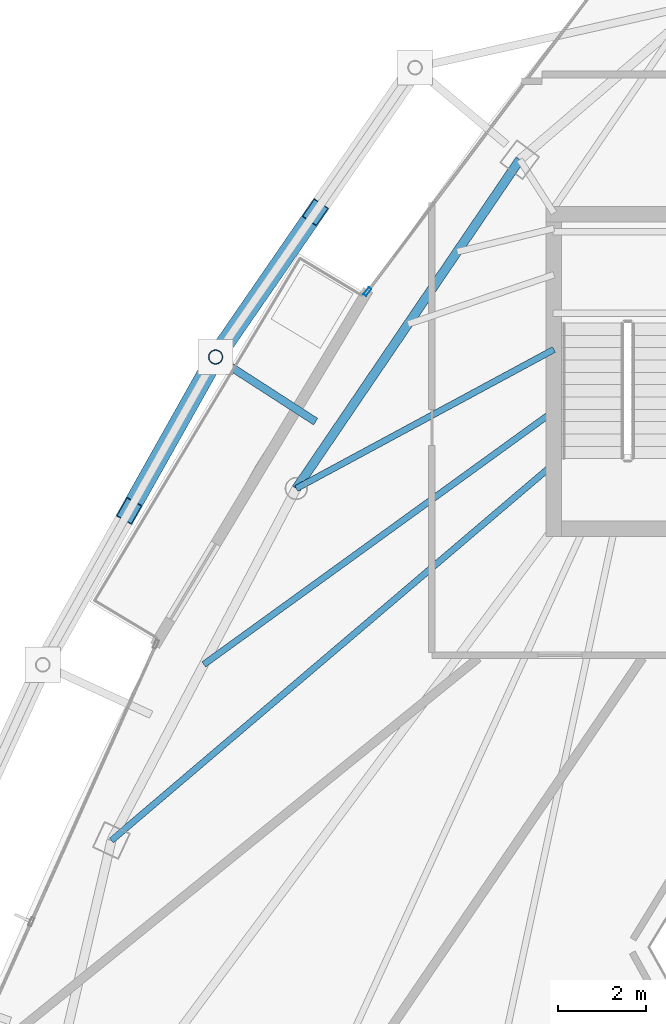
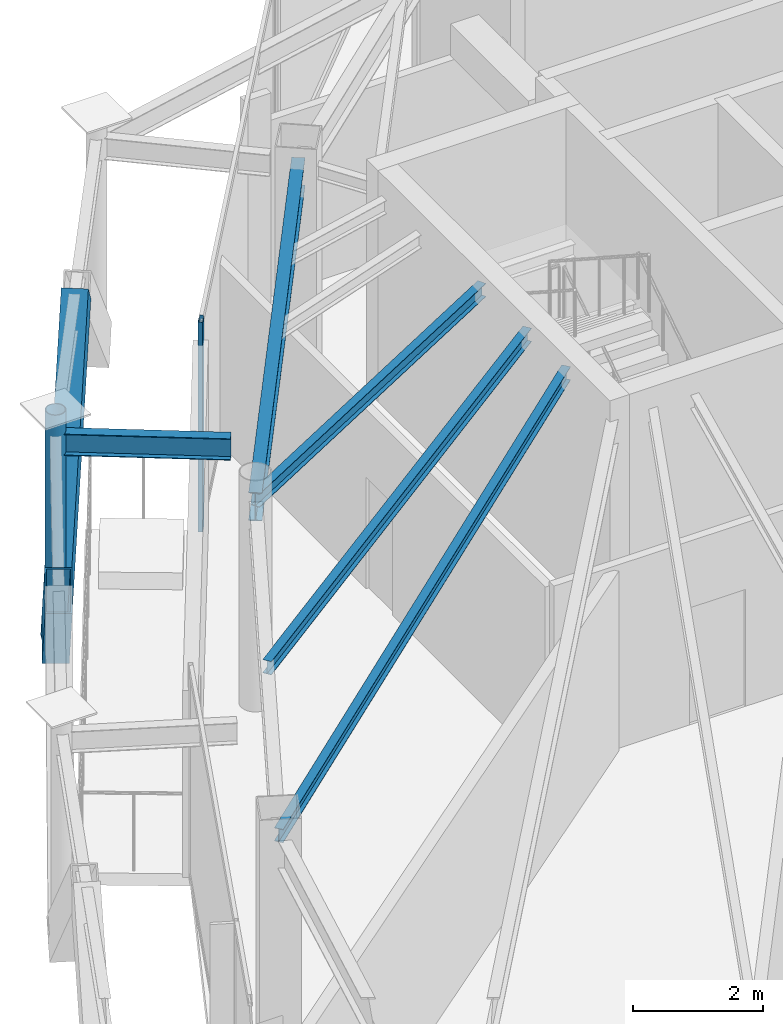
# One storey, part 9 of 22: 5 beams, 4 members, 1 element without a shape of its own.
"""IFC4 building model written with IfcOpenShell, lengths in metres."""

from ifc_helpers import new_model, si_unit, direction, frame, origin, origin_2d, place, context, subcontext, project, spatial, hollow_rectangle, hollow_circle, i_section, extrude, material, layer, layer_set, material_profile, profile_set, type_object, element, aggregate, save


model = new_model("IFC4")

# Units and contexts
model_context = context("Model", 3, precision=1e-05, world=origin(), true_north=direction((0.0, 1.0)))
body_context = subcontext(model_context, "Body", "Model", "MODEL_VIEW")
ifc_project = project(units=[si_unit("LENGTHUNIT", "METRE"), si_unit("AREAUNIT", "SQUARE_METRE"), si_unit("VOLUMEUNIT", "CUBIC_METRE"), si_unit("PLANEANGLEUNIT", "RADIAN"), si_unit("MASSUNIT", "GRAM", prefix="KILO")], contexts=[model_context])

# Site, building, storey
site_placement = place(None, origin())
site = spatial("IfcSite", under=ifc_project, at=site_placement, CompositionType="ELEMENT")
building_placement = place(site_placement, origin())
building = spatial("IfcBuilding", under=site, at=building_placement, Name="Orvanel Arch Residences", CompositionType="ELEMENT")
storey_placement = place(building_placement, frame((0.0, 0.0, 276.64990234375)))
storey = spatial("IfcBuildingStorey", under=building, at=storey_placement, Name="L79", CompositionType="ELEMENT", Elevation=276.64990234375)

# Beams
ifc_material_1 = material(Name="Structural steel AS/NZS 3679.1 Grade 300 (300 MPa)", Category="steel")
ifc_material_profile_1 = material_profile(ifc_material_1, i_section(OverallWidth=0.14599609375, OverallDepth=0.251953125, WebThickness=0.006103515625, FlangeThickness=0.008544921875, at=origin_2d()), Name="250UB31.4")
ifc_profile_set_1 = profile_set([ifc_material_profile_1], Name="Structural steel AS/NZS 3679.1 Grade 300 (300 MPa)")
beam_type_1 = type_object("IfcBeamType", Name="BJ-250UB", PredefinedType="JOIST", material=ifc_profile_set_1)
beam_1_placement = place(storey_placement, frame((26.425048828125, 30.800048828125, 3.82421875), z_axis=(-0.880111494021, -0.474767056664, 0.0), x_axis=(0.474767056664, -0.880111494021, 0.0)))
element("IfcBeam", 1, at=beam_1_placement, inside=storey, type_object=beam_type_1, Name="L79 NW Wing Floor Joist", PredefinedType="JOIST", context=body_context, shape_type="SweptSolid", body=[
    extrude(i_section(OverallWidth=0.14599609375, OverallDepth=0.251953125, WebThickness=0.006103515625, FlangeThickness=0.008544921875, at=origin_2d()), origin(), (0.0, 0.0, 1.0), 6.653564453125),
])
beam_2_placement = place(storey_placement, frame((26.425048828125, 28.199951171875, 3.82421875), z_axis=(-0.761622669031, -0.64802076357, 0.0), x_axis=(0.64802076357, -0.761622669031, 0.0)))
element("IfcBeam", 2, at=beam_2_placement, inside=storey, type_object=beam_type_1, Name="L79 W Wing Floor Joist", PredefinedType="JOIST", context=body_context, shape_type="SweptSolid", body=[
    extrude(i_section(OverallWidth=0.14599609375, OverallDepth=0.251953125, WebThickness=0.006103515625, FlangeThickness=0.008544921875, at=origin_2d()), origin(), (0.0, 0.0, 1.0), 13.2060546875),
])
beam_3_placement = place(storey_placement, frame((26.425048828125, 29.39990234375, 3.82421875), z_axis=(-0.810144032972, -0.586230881002, 0.0), x_axis=(0.586230881002, -0.810144032972, 0.0)))
element("IfcBeam", 3, at=beam_3_placement, inside=storey, type_object=beam_type_1, Name="L79 CTW Wing Floor Joist", PredefinedType="JOIST", context=body_context, shape_type="SweptSolid", body=[
    extrude(i_section(OverallWidth=0.14599609375, OverallDepth=0.251953125, WebThickness=0.006103515625, FlangeThickness=0.008544921875, at=origin_2d()), origin(), (0.0, 0.0, 1.0), 9.82177734375),
])

# Members
ifc_material_2 = material(Name="Structural steel AS/NZS 3678 Grade 350", Category="steel")
ifc_material_profile_2 = material_profile(ifc_material_2, hollow_rectangle(XDim=0.419921875, YDim=0.719970703125, WallThickness=0.02490234375, at=origin_2d()), Name="RHS720x420x25")
ifc_profile_set_2 = profile_set([ifc_material_profile_2], Name="Structural steel AS/NZS 3678 Grade 350")
member_type_1 = type_object("IfcMemberType", Name="BR-720RHS-EXT", PredefinedType="BRACE", material=ifc_profile_set_2)
member_1_placement = place(storey_placement, frame((18.735107421875, 30.62890625, 0.0), z_axis=(0.413887806925, 0.600527359708, 0.68415186437), x_axis=(-0.823385120164, 0.567482989959, 0.0)))
element("IfcMember", 4, at=member_1_placement, inside=storey, type_object=member_type_1, Name="L79 Exterior Sky-Garden V-Frame Chevron F1B1.2", PredefinedType="BRACE", context=body_context, shape_type="SweptSolid", body=[
    extrude(hollow_rectangle(XDim=0.419921875, YDim=0.719970703125, WallThickness=0.02490234375, at=origin_2d()), origin(), (0.0, 0.0, 1.0), 5.47705078125),
])
member_2_placement = place(storey_placement, frame((18.735107421875, 30.62890625, 0.0), z_axis=(-0.357844967537, -0.63709303543, 0.682685464482), x_axis=(0.871879371693, -0.489720697149, 0.0)))
element("IfcMember", 5, at=member_2_placement, inside=storey, type_object=member_type_1, Name="L79 Exterior Sky-Garden V-Frame Chevron F1B2.1", PredefinedType="BRACE", context=body_context, shape_type="SweptSolid", body=[
    extrude(hollow_rectangle(XDim=0.419921875, YDim=0.719970703125, WallThickness=0.02490234375, at=origin_2d()), origin(), (0.0, 0.0, 1.0), 5.48876953125),
])

# Curtain wall, member
ifc_material_3 = material(Name="Bronze-anodised aluminium AA6063-T6", Category="aluminium")
ifc_layer = layer(ifc_material_3, 0.195068359375)
ifc_layer_set = layer_set([ifc_layer], Name="Bronze-anodised aluminium AA6063-T6")
curtain_wall_type = type_object("IfcCurtainWallType", Name="CW6-COM-SYS", PredefinedType="NOTDEFINED", material=ifc_layer_set)
curtain_wall_placement = place(storey_placement, origin())
curtain_wall = element("IfcCurtainWall", 6, at=curtain_wall_placement, inside=storey, type_object=curtain_wall_type, Name="L79 CW6-COM-SYS Unitised Curtain Wall", PredefinedType="NOTDEFINED")
ifc_material_profile_3 = material_profile(ifc_material_3, hollow_rectangle(XDim=0.074951171875, YDim=0.199951171875, WallThickness=0.0048828125, at=origin_2d()), Name="ALU200x75x5")
ifc_profile_set_3 = profile_set([ifc_material_profile_3], Name="Bronze-anodised aluminium AA6063-T6")
member_type_2 = type_object("IfcMemberType", Name="MUL-200x75", PredefinedType="MULLION", material=ifc_profile_set_3)
member_3_placement = place(storey_placement, frame((22.1845703125, 32.114013671875, 0.0), z_axis=(0.0, 0.0, 1.0), x_axis=(0.799480276109, -0.600692340648, 0.0)))
member_3 = element("IfcMember", 7, at=member_3_placement, type_object=member_type_2, Name="CW-S6 mullion 2", PredefinedType="MULLION", context=body_context, shape_type="SweptSolid", body=[
    extrude(hollow_rectangle(XDim=0.074951171875, YDim=0.199951171875, WallThickness=0.0048828125, at=origin_2d()), origin(), (0.0, 0.0, 1.0), 3.9501953125),
])
aggregate(curtain_wall, [member_3])

# Beams
ifc_material_profile_4 = material_profile(ifc_material_1, i_section(OverallWidth=0.177978515625, OverallDepth=0.406005859375, WebThickness=0.0078125, FlangeThickness=0.0126953125, at=origin_2d()), Name="410UB59.7")
ifc_profile_set_4 = profile_set([ifc_material_profile_4], Name="Structural steel AS/NZS 3679.1 Grade 300 (300 MPa)")
beam_type_2 = type_object("IfcBeamType", Name="OB-410UB-EXT", PredefinedType="SPANDREL", material=ifc_profile_set_4)
beam_4_placement = place(storey_placement, frame((21.009033203125, 29.159912109375, 3.7470703125), z_axis=(-0.839969157421, 0.54263414432, 0.0), x_axis=(-0.54263414432, -0.839969157421, 0.0)))
element("IfcBeam", 8, at=beam_4_placement, inside=storey, type_object=beam_type_2, Name="L79 Outer Frame Radial Tie Beam 02", PredefinedType="SPANDREL", context=body_context, shape_type="SweptSolid", body=[
    extrude(i_section(OverallWidth=0.177978515625, OverallDepth=0.406005859375, WebThickness=0.0078125, FlangeThickness=0.0126953125, at=origin_2d()), origin(), (0.0, 0.0, 1.0), 2.707275390625),
])
ifc_material_profile_5 = material_profile(ifc_material_1, i_section(OverallWidth=0.208984375, OverallDepth=0.532958984375, WebThickness=0.01025390625, FlangeThickness=0.015625, at=origin_2d()), Name="530UB92.4")
ifc_profile_set_5 = profile_set([ifc_material_profile_5], Name="Structural steel AS/NZS 3679.1 Grade 300 (300 MPa)")
beam_type_3 = type_object("IfcBeamType", Name="SP-530UB", PredefinedType="SPANDREL", material=ifc_profile_set_5)
beam_5_placement = place(storey_placement, frame((25.64794921875, 35.113037109375, 3.68408203125), z_axis=(-0.562154793153, -0.827032035978, 0.0), x_axis=(0.827032035978, -0.562154793153, 0.0)))
element("IfcBeam", 9, at=beam_5_placement, inside=storey, type_object=beam_type_3, Name="L79 Perimeter Spandrel Beam 11", PredefinedType="SPANDREL", context=body_context, shape_type="SweptSolid", body=[
    extrude(i_section(OverallWidth=0.208984375, OverallDepth=0.532958984375, WebThickness=0.01025390625, FlangeThickness=0.015625, at=origin_2d()), origin(), (0.0, 0.0, 1.0), 9.03466796875),
])

# Member
ifc_material_4 = material(Name="Structural steel AS/NZS 1163 C350L0 (Grade 350)", Category="steel")
ifc_material_profile_6 = material_profile(ifc_material_4, hollow_circle(Radius=0.162109375, WallThickness=0.0126953125, at=origin_2d()), Name="CHS324x12.7")
ifc_profile_set_6 = profile_set([ifc_material_profile_6], Name="Structural steel AS/NZS 1163 C350L0 (Grade 350)")
member_type_3 = type_object("IfcMemberType", Name="ST-324CHS-EXT", PredefinedType="STRUT", material=ifc_profile_set_6)
member_4_placement = place(storey_placement, frame((18.735107421875, 30.62890625, 0.0), z_axis=(0.0, 0.0, 1.0), x_axis=(1.0, 0.0, 0.0)))
element("IfcMember", 10, at=member_4_placement, inside=storey, type_object=member_type_3, Name="L79 Outer Perimeter Frame Post 02", PredefinedType="STRUT", context=body_context, shape_type="SweptSolid", body=[
    extrude(hollow_circle(Radius=0.162109375, WallThickness=0.0126953125, at=origin_2d()), origin(), (0.0, 0.0, 1.0), 4.35009765625),
])

save(model, "model.ifc")
